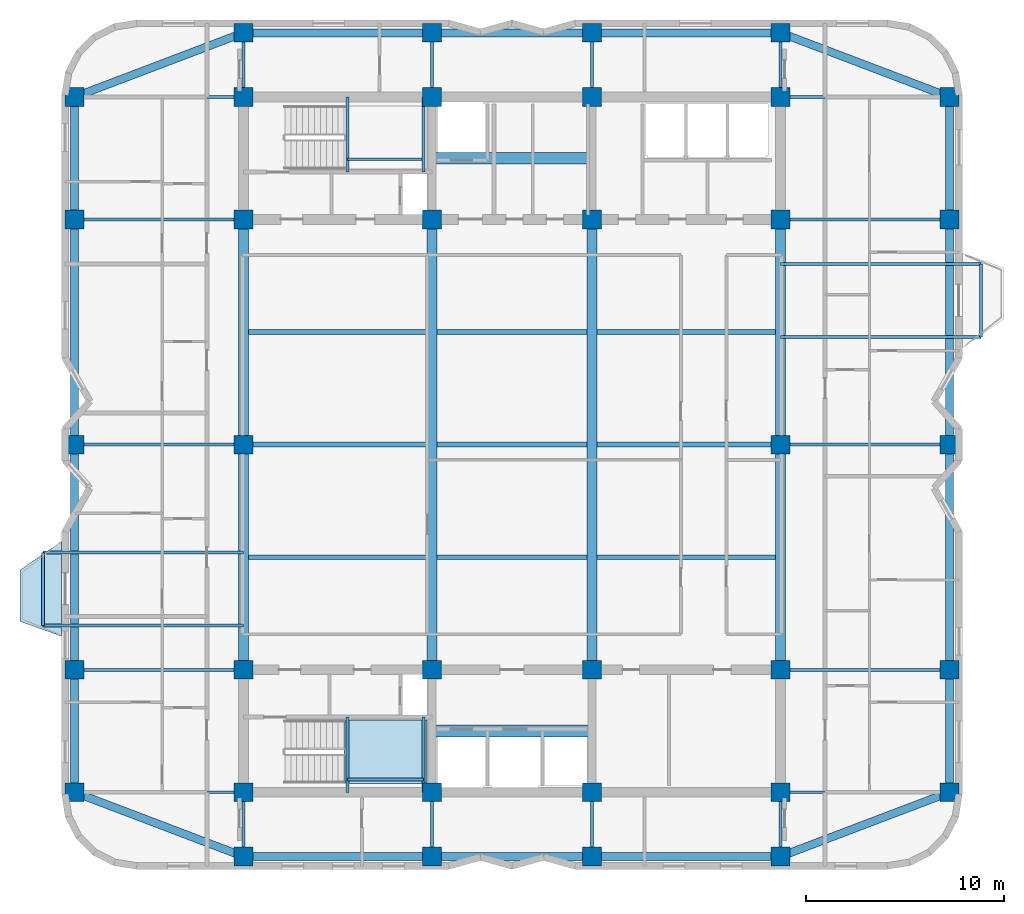
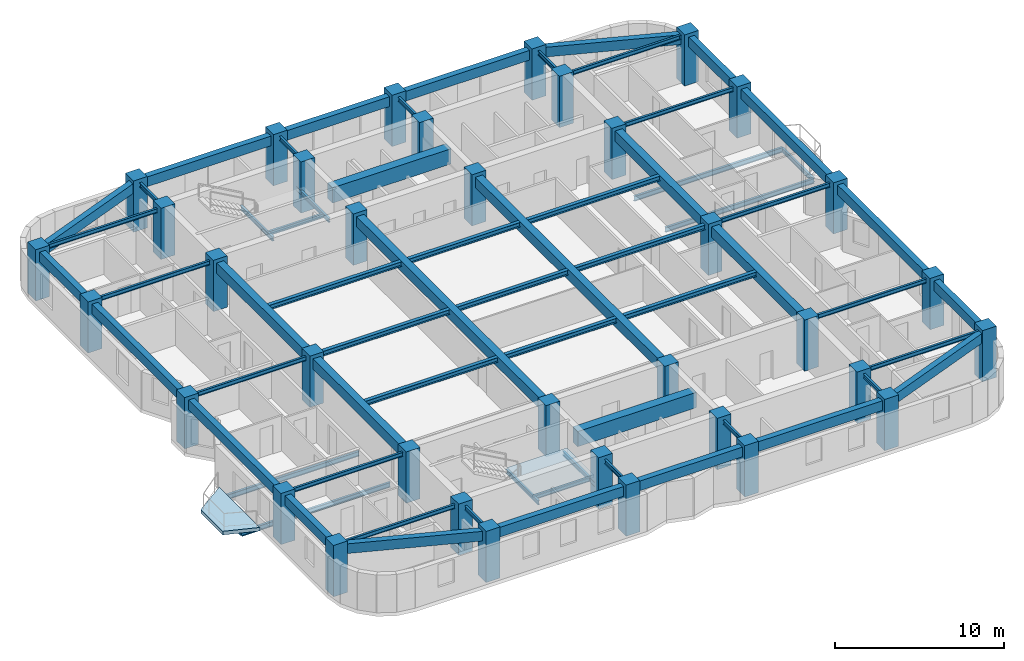
# One storey, part 1 of 9: 65 beams, 36 columns, 2 slabs, 1 element without a shape of its own.
"""IFC4 building model written with IfcOpenShell, lengths in metres."""

from ifc_helpers import new_model, si_unit, direction, frame, origin, origin_2d, place, context, subcontext, project, spatial, polyline, rectangle, i_section, outline, extrude, material, layer, layer_set, material_profile, profile_set, type_object, element, aggregate, save


model = new_model("IFC4")

# Units and contexts
model_context = context("Model", 3, precision=1e-05, world=origin(), true_north=direction((0.0, 1.0)))
body_context = subcontext(model_context, "Body", "Model", "MODEL_VIEW")
ifc_project = project(units=[si_unit("LENGTHUNIT", "METRE"), si_unit("AREAUNIT", "SQUARE_METRE"), si_unit("VOLUMEUNIT", "CUBIC_METRE"), si_unit("PLANEANGLEUNIT", "RADIAN"), si_unit("MASSUNIT", "GRAM", prefix="KILO")], contexts=[model_context])

# Site, building, storey
site_placement = place(None, origin())
site = spatial("IfcSite", under=ifc_project, at=site_placement, CompositionType="ELEMENT")
building_placement = place(site_placement, origin())
building = spatial("IfcBuilding", under=site, at=building_placement, Name="Svetorya Sky Lyceum", CompositionType="ELEMENT")
storey_placement = place(building_placement, frame((0.0, 0.0, 173.699951171875)))
storey = spatial("IfcBuildingStorey", under=building, at=storey_placement, Name="L43", CompositionType="ELEMENT", Elevation=173.699951171875)

# Columns
ifc_material_1 = material(Name="Concrete C50/60", Category="concrete")
ifc_material_profile_1 = material_profile(ifc_material_1, rectangle(XDim=0.949951171875, YDim=0.949951171875, at=origin_2d()), Name="RC COL 950x950")
ifc_profile_set_1 = profile_set([ifc_material_profile_1], Name="Concrete C50/60")
column_type = type_object("IfcColumnType", Name="COL-RC-950", PredefinedType="COLUMN", material=ifc_profile_set_1)
for number, where, z_axis, x_axis, name in (
    (1, (25.60009765625, 10.60009765625, 0.0), (0.0, 0.0, 1.0), (1.0, 0.0, 0.0), "L43 Core Column CS-11"),
    (2, (25.60009765625, 16.800048828125, 0.0), (0.0, 0.0, 1.0), (1.0, 0.0, 0.0), "L43 Core Column CS-12"),
    (3, (35.14990234375, 10.60009765625, 0.0), (0.0, 0.0, 1.0), (1.0, 0.0, 0.0), "L43 Core Column CS-21"),
    (4, (35.14990234375, 16.800048828125, 0.0), (0.0, 0.0, 1.0), (1.0, 0.0, 0.0), "L43 Core Column CS-22"),
    (5, (43.25, 10.60009765625, 0.0), (0.0, 0.0, 1.0), (1.0, 0.0, 0.0), "L43 Core Column CS-31"),
    (6, (43.25, 16.800048828125, 0.0), (0.0, 0.0, 1.0), (1.0, 0.0, 0.0), "L43 Core Column CS-32"),
    (7, (52.800048828125, 10.60009765625, 0.0), (0.0, 0.0, 1.0), (1.0, 0.0, 0.0), "L43 Core Column CS-41"),
    (8, (52.800048828125, 16.800048828125, 0.0), (0.0, 0.0, 1.0), (1.0, 0.0, 0.0), "L43 Core Column CS-42"),
    (9, (25.60009765625, 39.60009765625, 0.0), (0.0, 0.0, 1.0), (1.0, 0.0, 0.0), "L43 Core Column CN-11"),
    (10, (25.60009765625, 45.800048828125, 0.0), (0.0, 0.0, 1.0), (1.0, 0.0, 0.0), "L43 Core Column CN-12"),
    (11, (35.14990234375, 39.60009765625, 0.0), (0.0, 0.0, 1.0), (1.0, 0.0, 0.0), "L43 Core Column CN-21"),
    (12, (35.14990234375, 45.800048828125, 0.0), (0.0, 0.0, 1.0), (1.0, 0.0, 0.0), "L43 Core Column CN-22"),
    (13, (43.25, 39.60009765625, 0.0), (0.0, 0.0, 1.0), (1.0, 0.0, 0.0), "L43 Core Column CN-31"),
    (14, (43.25, 45.800048828125, 0.0), (0.0, 0.0, 1.0), (1.0, 0.0, 0.0), "L43 Core Column CN-32"),
    (15, (52.800048828125, 39.60009765625, 0.0), (0.0, 0.0, 1.0), (1.0, 0.0, 0.0), "L43 Core Column CN-41"),
    (16, (52.800048828125, 45.800048828125, 0.0), (0.0, 0.0, 1.0), (1.0, 0.0, 0.0), "L43 Core Column CN-42"),
    (17, (25.60009765625, 28.199951171875, 0.0), (0.0, 0.0, 1.0), (1.0, 0.0, 0.0), "L43 Core Column CM-W"),
    (18, (52.800048828125, 28.199951171875, 0.0), (0.0, 0.0, 1.0), (1.0, 0.0, 0.0), "L43 Core Column CM-E"),
    (19, (25.60009765625, 7.35009765625, 0.0), (0.0, 0.0, 1.0), (1.0, 0.0, 0.0), "L43 Perimeter Column S1"),
    (20, (25.60009765625, 49.050048828125, 0.0), (0.0, 0.0, 1.0), (1.0, 0.0, 0.0), "L43 Perimeter Column N1"),
    (21, (35.14990234375, 7.35009765625, 0.0), (0.0, 0.0, 1.0), (1.0, 0.0, 0.0), "L43 Perimeter Column S2"),
    (22, (35.14990234375, 49.050048828125, 0.0), (0.0, 0.0, 1.0), (1.0, 0.0, 0.0), "L43 Perimeter Column N2"),
    (23, (43.25, 7.35009765625, 0.0), (0.0, 0.0, 1.0), (1.0, 0.0, 0.0), "L43 Perimeter Column S3"),
    (24, (43.25, 49.050048828125, 0.0), (0.0, 0.0, 1.0), (1.0, 0.0, 0.0), "L43 Perimeter Column N3"),
    (25, (52.800048828125, 7.35009765625, 0.0), (0.0, 0.0, 1.0), (1.0, 0.0, 0.0), "L43 Perimeter Column S4"),
    (26, (52.800048828125, 49.050048828125, 0.0), (0.0, 0.0, 1.0), (1.0, 0.0, 0.0), "L43 Perimeter Column N4"),
    (27, (17.050048828125, 10.60009765625, 0.0), (0.0, 0.0, 1.0), (1.0, 0.0, 0.0), "L43 Perimeter Column W1"),
    (28, (61.35009765625, 10.60009765625, 0.0), (0.0, 0.0, 1.0), (1.0, 0.0, 0.0), "L43 Perimeter Column E1"),
    (29, (17.050048828125, 16.800048828125, 0.0), (0.0, 0.0, 1.0), (1.0, 0.0, 0.0), "L43 Perimeter Column W2"),
    (30, (61.35009765625, 16.800048828125, 0.0), (0.0, 0.0, 1.0), (1.0, 0.0, 0.0), "L43 Perimeter Column E2"),
    (31, (17.050048828125, 28.199951171875, 0.0), (0.0, 0.0, 1.0), (1.0, 0.0, 0.0), "L43 Perimeter Column W3"),
    (32, (61.35009765625, 28.199951171875, 0.0), (0.0, 0.0, 1.0), (1.0, 0.0, 0.0), "L43 Perimeter Column E3"),
    (33, (17.050048828125, 39.60009765625, 0.0), (0.0, 0.0, 1.0), (1.0, 0.0, 0.0), "L43 Perimeter Column W4"),
    (34, (61.35009765625, 39.60009765625, 0.0), (0.0, 0.0, 1.0), (1.0, 0.0, 0.0), "L43 Perimeter Column E4"),
    (35, (17.050048828125, 45.800048828125, 0.0), (0.0, 0.0, 1.0), (1.0, 0.0, 0.0), "L43 Perimeter Column W5"),
    (36, (61.35009765625, 45.800048828125, 0.0), (0.0, 0.0, 1.0), (1.0, 0.0, 0.0), "L43 Perimeter Column E5"),
):
    element("IfcColumn", number, at=place(storey_placement, frame(where, z_axis=z_axis, x_axis=x_axis)), inside=storey, type_object=column_type, Name=name, PredefinedType="COLUMN", context=body_context, shape_type="SweptSolid", body=[
        extrude(rectangle(XDim=0.949951171875, YDim=0.949951171875, at=origin_2d()), origin(), (0.0, 0.0, 1.0), 3.699951171875),
    ])

# Beams
ifc_material_2 = material(Name="Concrete C60/75", Category="concrete")
ifc_material_profile_2 = material_profile(ifc_material_2, rectangle(XDim=0.60009765625, YDim=1.10009765625, at=origin_2d()), Name="RC COUPLING 600x1100")
ifc_profile_set_2 = profile_set([ifc_material_profile_2], Name="Concrete C60/75")
beam_type_1 = type_object("IfcBeamType", Name="BM-CPL-1100", PredefinedType="LINTEL", material=ifc_profile_set_2)
for number, where, z_axis, x_axis, name in (
    (37, (35.14990234375, 13.699951171875, 2.89013671875), (1.0, 0.0, 0.0), (0.0, 1.0, 0.0), "L43 SC Core Coupling Beam"),
    (38, (35.14990234375, 42.699951171875, 2.89013671875), (1.0, 0.0, 0.0), (0.0, 1.0, 0.0), "L43 NC Core Coupling Beam"),
):
    element("IfcBeam", number, at=place(storey_placement, frame(where, z_axis=z_axis, x_axis=x_axis)), inside=storey, type_object=beam_type_1, Name=name, PredefinedType="LINTEL", context=body_context, shape_type="SweptSolid", body=[
        extrude(rectangle(XDim=0.60009765625, YDim=1.10009765625, at=origin_2d()), origin(), (0.0, 0.0, 1.0), 8.10009765625),
    ])
ifc_material_profile_3 = material_profile(ifc_material_1, rectangle(XDim=0.5, YDim=0.75, at=origin_2d()), Name="RC BEAM 500x750")
ifc_profile_set_3 = profile_set([ifc_material_profile_3], Name="Concrete C50/60")
beam_type_2 = type_object("IfcBeamType", Name="BM-RC-750", PredefinedType="BEAM", material=ifc_profile_set_3)
beam_1_placement = place(storey_placement, frame((25.60009765625, 16.800048828125, 3.06494140625), z_axis=(0.0, 1.0, 0.0), x_axis=(-1.0, 0.0, 0.0)))
element("IfcBeam", 39, at=beam_1_placement, inside=storey, type_object=beam_type_2, Name="L43 Central Bay Primary Girder CG-1A", PredefinedType="BEAM", context=body_context, shape_type="SweptSolid", body=[
    extrude(rectangle(XDim=0.5, YDim=0.75, at=origin_2d()), origin(), (0.0, 0.0, 1.0), 11.39990234375),
])
beam_2_placement = place(storey_placement, frame((25.60009765625, 28.199951171875, 3.06494140625), z_axis=(0.0, 1.0, 0.0), x_axis=(-1.0, 0.0, 0.0)))
element("IfcBeam", 40, at=beam_2_placement, inside=storey, type_object=beam_type_2, Name="L43 Central Bay Primary Girder CG-1B", PredefinedType="BEAM", context=body_context, shape_type="SweptSolid", body=[
    extrude(rectangle(XDim=0.5, YDim=0.75, at=origin_2d()), origin(), (0.0, 0.0, 1.0), 11.400146484375),
])
for number, where, z_axis, x_axis, name in (
    (41, (35.14990234375, 16.800048828125, 3.06494140625), (0.0, 1.0, 0.0), (-1.0, 0.0, 0.0), "L43 Central Bay Primary Girder CG-2"),
    (42, (43.25, 16.800048828125, 3.06494140625), (0.0, 1.0, 0.0), (-1.0, 0.0, 0.0), "L43 Central Bay Primary Girder CG-3"),
):
    element("IfcBeam", number, at=place(storey_placement, frame(where, z_axis=z_axis, x_axis=x_axis)), inside=storey, type_object=beam_type_2, Name=name, PredefinedType="BEAM", context=body_context, shape_type="SweptSolid", body=[
        extrude(rectangle(XDim=0.5, YDim=0.75, at=origin_2d()), origin(), (0.0, 0.0, 1.0), 22.800048828125),
    ])
beam_3_placement = place(storey_placement, frame((52.800048828125, 16.800048828125, 3.06494140625), z_axis=(0.0, 1.0, 0.0), x_axis=(-1.0, 0.0, 0.0)))
element("IfcBeam", 43, at=beam_3_placement, inside=storey, type_object=beam_type_2, Name="L43 Central Bay Primary Girder CG-4A", PredefinedType="BEAM", context=body_context, shape_type="SweptSolid", body=[
    extrude(rectangle(XDim=0.5, YDim=0.75, at=origin_2d()), origin(), (0.0, 0.0, 1.0), 11.39990234375),
])
beam_4_placement = place(storey_placement, frame((52.800048828125, 28.199951171875, 3.06494140625), z_axis=(0.0, 1.0, 0.0), x_axis=(-1.0, 0.0, 0.0)))
element("IfcBeam", 44, at=beam_4_placement, inside=storey, type_object=beam_type_2, Name="L43 Central Bay Primary Girder CG-4B", PredefinedType="BEAM", context=body_context, shape_type="SweptSolid", body=[
    extrude(rectangle(XDim=0.5, YDim=0.75, at=origin_2d()), origin(), (0.0, 0.0, 1.0), 11.400146484375),
])
ifc_material_profile_4 = material_profile(ifc_material_1, rectangle(XDim=0.39990234375, YDim=0.699951171875, at=origin_2d()), Name="RC SPANDREL 400x700")
ifc_profile_set_4 = profile_set([ifc_material_profile_4], Name="Concrete C50/60")
beam_type_3 = type_object("IfcBeamType", Name="BM-SPN-700", PredefinedType="SPANDREL", material=ifc_profile_set_4)
beam_5_placement = place(storey_placement, frame((25.60009765625, 7.35009765625, 3.090087890625), z_axis=(1.0, 0.0, 0.0), x_axis=(0.0, 1.0, 0.0)))
element("IfcBeam", 45, at=beam_5_placement, inside=storey, type_object=beam_type_3, Name="L43 South Spandrel 1", PredefinedType="SPANDREL", context=body_context, shape_type="SweptSolid", body=[
    extrude(rectangle(XDim=0.39990234375, YDim=0.699951171875, at=origin_2d()), origin(), (0.0, 0.0, 1.0), 9.5498046875),
])
beam_6_placement = place(storey_placement, frame((35.14990234375, 7.35009765625, 3.090087890625), z_axis=(1.0, 0.0, 0.0), x_axis=(0.0, 1.0, 0.0)))
element("IfcBeam", 46, at=beam_6_placement, inside=storey, type_object=beam_type_3, Name="L43 South Spandrel 2", PredefinedType="SPANDREL", context=body_context, shape_type="SweptSolid", body=[
    extrude(rectangle(XDim=0.39990234375, YDim=0.699951171875, at=origin_2d()), origin(), (0.0, 0.0, 1.0), 8.10009765625),
])
beam_7_placement = place(storey_placement, frame((43.25, 7.35009765625, 3.090087890625), z_axis=(1.0, 0.0, 0.0), x_axis=(0.0, 1.0, 0.0)))
element("IfcBeam", 47, at=beam_7_placement, inside=storey, type_object=beam_type_3, Name="L43 South Spandrel 3", PredefinedType="SPANDREL", context=body_context, shape_type="SweptSolid", body=[
    extrude(rectangle(XDim=0.39990234375, YDim=0.699951171875, at=origin_2d()), origin(), (0.0, 0.0, 1.0), 9.550048828125),
])
beam_8_placement = place(storey_placement, frame((25.60009765625, 49.050048828125, 3.090087890625), z_axis=(1.0, 0.0, 0.0), x_axis=(0.0, 1.0, 0.0)))
element("IfcBeam", 48, at=beam_8_placement, inside=storey, type_object=beam_type_3, Name="L43 North Spandrel 1", PredefinedType="SPANDREL", context=body_context, shape_type="SweptSolid", body=[
    extrude(rectangle(XDim=0.39990234375, YDim=0.699951171875, at=origin_2d()), origin(), (0.0, 0.0, 1.0), 9.5498046875),
])
beam_9_placement = place(storey_placement, frame((35.14990234375, 49.050048828125, 3.090087890625), z_axis=(1.0, 0.0, 0.0), x_axis=(0.0, 1.0, 0.0)))
element("IfcBeam", 49, at=beam_9_placement, inside=storey, type_object=beam_type_3, Name="L43 North Spandrel 2", PredefinedType="SPANDREL", context=body_context, shape_type="SweptSolid", body=[
    extrude(rectangle(XDim=0.39990234375, YDim=0.699951171875, at=origin_2d()), origin(), (0.0, 0.0, 1.0), 8.10009765625),
])
beam_10_placement = place(storey_placement, frame((43.25, 49.050048828125, 3.090087890625), z_axis=(1.0, 0.0, 0.0), x_axis=(0.0, 1.0, 0.0)))
element("IfcBeam", 50, at=beam_10_placement, inside=storey, type_object=beam_type_3, Name="L43 North Spandrel 3", PredefinedType="SPANDREL", context=body_context, shape_type="SweptSolid", body=[
    extrude(rectangle(XDim=0.39990234375, YDim=0.699951171875, at=origin_2d()), origin(), (0.0, 0.0, 1.0), 9.550048828125),
])
for number, where, z_axis, x_axis, name in (
    (51, (25.60009765625, 7.35009765625, 3.090087890625), (-0.934747947367, 0.355311518099, 0.0), (-0.355311518099, -0.934747947367, 0.0), "L43 Corner Spandrel 1"),
    (52, (52.800048828125, 7.35009765625, 3.090087890625), (0.934747947367, 0.355311518099, 0.0), (-0.355311518099, 0.934747947367, 0.0), "L43 Corner Spandrel 2"),
    (53, (61.35009765625, 45.800048828125, 3.090087890625), (-0.934747947367, 0.355311518099, 0.0), (-0.355311518099, -0.934747947367, 0.0), "L43 Corner Spandrel 3"),
    (54, (17.050048828125, 45.800048828125, 3.090087890625), (0.934747947367, 0.355311518099, 0.0), (-0.355311518099, 0.934747947367, 0.0), "L43 Corner Spandrel 4"),
):
    element("IfcBeam", number, at=place(storey_placement, frame(where, z_axis=z_axis, x_axis=x_axis)), inside=storey, type_object=beam_type_3, Name=name, PredefinedType="SPANDREL", context=body_context, shape_type="SweptSolid", body=[
        extrude(rectangle(XDim=0.39990234375, YDim=0.699951171875, at=origin_2d()), origin(), (0.0, 0.0, 1.0), 9.14697265625),
    ])
beam_11_placement = place(storey_placement, frame((17.050048828125, 10.60009765625, 3.090087890625), z_axis=(0.0, 1.0, 0.0), x_axis=(-1.0, 0.0, 0.0)))
element("IfcBeam", 55, at=beam_11_placement, inside=storey, type_object=beam_type_3, Name="L43 West Spandrel 1", PredefinedType="SPANDREL", context=body_context, shape_type="SweptSolid", body=[
    extrude(rectangle(XDim=0.39990234375, YDim=0.699951171875, at=origin_2d()), origin(), (0.0, 0.0, 1.0), 6.199951171875),
])
beam_12_placement = place(storey_placement, frame((17.050048828125, 16.800048828125, 3.090087890625), z_axis=(0.0, 1.0, 0.0), x_axis=(-1.0, 0.0, 0.0)))
element("IfcBeam", 56, at=beam_12_placement, inside=storey, type_object=beam_type_3, Name="L43 West Spandrel 2", PredefinedType="SPANDREL", context=body_context, shape_type="SweptSolid", body=[
    extrude(rectangle(XDim=0.39990234375, YDim=0.699951171875, at=origin_2d()), origin(), (0.0, 0.0, 1.0), 11.39990234375),
])
beam_13_placement = place(storey_placement, frame((17.050048828125, 28.199951171875, 3.090087890625), z_axis=(0.0, 1.0, 0.0), x_axis=(-1.0, 0.0, 0.0)))
element("IfcBeam", 57, at=beam_13_placement, inside=storey, type_object=beam_type_3, Name="L43 West Spandrel 3", PredefinedType="SPANDREL", context=body_context, shape_type="SweptSolid", body=[
    extrude(rectangle(XDim=0.39990234375, YDim=0.699951171875, at=origin_2d()), origin(), (0.0, 0.0, 1.0), 11.400146484375),
])
for number, where, z_axis, x_axis, name in (
    (58, (17.050048828125, 39.60009765625, 3.090087890625), (0.0, 1.0, 0.0), (-1.0, 0.0, 0.0), "L43 West Spandrel 4"),
    (59, (61.35009765625, 10.60009765625, 3.090087890625), (0.0, 1.0, 0.0), (-1.0, 0.0, 0.0), "L43 East Spandrel 1"),
):
    element("IfcBeam", number, at=place(storey_placement, frame(where, z_axis=z_axis, x_axis=x_axis)), inside=storey, type_object=beam_type_3, Name=name, PredefinedType="SPANDREL", context=body_context, shape_type="SweptSolid", body=[
        extrude(rectangle(XDim=0.39990234375, YDim=0.699951171875, at=origin_2d()), origin(), (0.0, 0.0, 1.0), 6.199951171875),
    ])
beam_14_placement = place(storey_placement, frame((61.35009765625, 16.800048828125, 3.090087890625), z_axis=(0.0, 1.0, 0.0), x_axis=(-1.0, 0.0, 0.0)))
element("IfcBeam", 60, at=beam_14_placement, inside=storey, type_object=beam_type_3, Name="L43 East Spandrel 2", PredefinedType="SPANDREL", context=body_context, shape_type="SweptSolid", body=[
    extrude(rectangle(XDim=0.39990234375, YDim=0.699951171875, at=origin_2d()), origin(), (0.0, 0.0, 1.0), 11.39990234375),
])
beam_15_placement = place(storey_placement, frame((61.35009765625, 28.199951171875, 3.090087890625), z_axis=(0.0, 1.0, 0.0), x_axis=(-1.0, 0.0, 0.0)))
element("IfcBeam", 61, at=beam_15_placement, inside=storey, type_object=beam_type_3, Name="L43 East Spandrel 3", PredefinedType="SPANDREL", context=body_context, shape_type="SweptSolid", body=[
    extrude(rectangle(XDim=0.39990234375, YDim=0.699951171875, at=origin_2d()), origin(), (0.0, 0.0, 1.0), 11.400146484375),
])
beam_16_placement = place(storey_placement, frame((61.35009765625, 39.60009765625, 3.090087890625), z_axis=(0.0, 1.0, 0.0), x_axis=(-1.0, 0.0, 0.0)))
element("IfcBeam", 62, at=beam_16_placement, inside=storey, type_object=beam_type_3, Name="L43 East Spandrel 4", PredefinedType="SPANDREL", context=body_context, shape_type="SweptSolid", body=[
    extrude(rectangle(XDim=0.39990234375, YDim=0.699951171875, at=origin_2d()), origin(), (0.0, 0.0, 1.0), 6.199951171875),
])
ifc_material_3 = material(Name="Steel S355", Category="steel")
ifc_material_profile_5 = material_profile(ifc_material_3, i_section(OverallWidth=0.14990234375, OverallDepth=0.299072265625, WebThickness=0.006591796875, FlangeThickness=0.010498046875, at=origin_2d()), Name="GOST 30B2")
ifc_profile_set_5 = profile_set([ifc_material_profile_5], Name="Steel S355")
beam_type_4 = type_object("IfcBeamType", Name="BM-STL-30B2", PredefinedType="JOIST", material=ifc_profile_set_5)
beam_17_placement = place(storey_placement, frame((15.449951171875, 19.050048828125, -0.4345703125), z_axis=(0.0, 1.0, 0.0), x_axis=(-1.0, 0.0, 0.0)))
element("IfcBeam", 63, at=beam_17_placement, inside=storey, type_object=beam_type_4, Name="L43 Balcony Edge Tie BAL-W1", PredefinedType="JOIST", context=body_context, shape_type="SweptSolid", body=[
    extrude(i_section(OverallWidth=0.14990234375, OverallDepth=0.299072265625, WebThickness=0.006591796875, FlangeThickness=0.010498046875, at=origin_2d()), origin(), (0.0, 0.0, 1.0), 3.699951171875),
])
beam_18_placement = place(storey_placement, frame((62.949951171875, 33.64990234375, -0.4345703125), z_axis=(0.0, 1.0, 0.0), x_axis=(-1.0, 0.0, 0.0)))
element("IfcBeam", 64, at=beam_18_placement, inside=storey, type_object=beam_type_4, Name="L43 Balcony Edge Tie BAL-E1", PredefinedType="JOIST", context=body_context, shape_type="SweptSolid", body=[
    extrude(i_section(OverallWidth=0.14990234375, OverallDepth=0.299072265625, WebThickness=0.006591796875, FlangeThickness=0.010498046875, at=origin_2d()), origin(), (0.0, 0.0, 1.0), 3.7001953125),
])
for number, where, z_axis, x_axis, name in (
    (65, (17.050048828125, 10.60009765625, 3.29052734375), (1.0, 0.0, 0.0), (0.0, 1.0, 0.0), "L43 West Wing Floor Joist W1"),
    (66, (52.800048828125, 10.60009765625, 3.29052734375), (1.0, 0.0, 0.0), (0.0, 1.0, 0.0), "L43 East Wing Floor Joist E1"),
    (67, (17.050048828125, 16.800048828125, 3.29052734375), (1.0, 0.0, 0.0), (0.0, 1.0, 0.0), "L43 West Wing Floor Joist W2"),
    (68, (52.800048828125, 16.800048828125, 3.29052734375), (1.0, 0.0, 0.0), (0.0, 1.0, 0.0), "L43 East Wing Floor Joist E2"),
    (69, (17.050048828125, 28.199951171875, 3.29052734375), (1.0, 0.0, 0.0), (0.0, 1.0, 0.0), "L43 West Wing Floor Joist W3"),
    (70, (52.800048828125, 28.199951171875, 3.29052734375), (1.0, 0.0, 0.0), (0.0, 1.0, 0.0), "L43 East Wing Floor Joist E3"),
    (71, (17.050048828125, 39.60009765625, 3.29052734375), (1.0, 0.0, 0.0), (0.0, 1.0, 0.0), "L43 West Wing Floor Joist W4"),
    (72, (52.800048828125, 39.60009765625, 3.29052734375), (1.0, 0.0, 0.0), (0.0, 1.0, 0.0), "L43 East Wing Floor Joist E4"),
    (73, (17.050048828125, 45.800048828125, 3.29052734375), (1.0, 0.0, 0.0), (0.0, 1.0, 0.0), "L43 West Wing Floor Joist W5"),
    (74, (52.800048828125, 45.800048828125, 3.29052734375), (1.0, 0.0, 0.0), (0.0, 1.0, 0.0), "L43 East Wing Floor Joist E5"),
):
    element("IfcBeam", number, at=place(storey_placement, frame(where, z_axis=z_axis, x_axis=x_axis)), inside=storey, type_object=beam_type_4, Name=name, PredefinedType="JOIST", context=body_context, shape_type="SweptSolid", body=[
        extrude(i_section(OverallWidth=0.14990234375, OverallDepth=0.299072265625, WebThickness=0.006591796875, FlangeThickness=0.010498046875, at=origin_2d()), origin(), (0.0, 0.0, 1.0), 8.550048828125),
    ])
for number, where, z_axis, x_axis, name in (
    (75, (25.60009765625, 7.35009765625, 3.29052734375), (0.0, 1.0, 0.0), (-1.0, 0.0, 0.0), "L43 South Bay Floor Girder S1"),
    (76, (25.60009765625, 45.800048828125, 3.29052734375), (0.0, 1.0, 0.0), (-1.0, 0.0, 0.0), "L43 North Bay Floor Girder N1"),
    (77, (35.14990234375, 7.35009765625, 3.29052734375), (0.0, 1.0, 0.0), (-1.0, 0.0, 0.0), "L43 South Bay Floor Girder S2"),
    (78, (35.14990234375, 45.800048828125, 3.29052734375), (0.0, 1.0, 0.0), (-1.0, 0.0, 0.0), "L43 North Bay Floor Girder N2"),
    (79, (43.25, 7.35009765625, 3.29052734375), (0.0, 1.0, 0.0), (-1.0, 0.0, 0.0), "L43 South Bay Floor Girder S3"),
    (80, (43.25, 45.800048828125, 3.29052734375), (0.0, 1.0, 0.0), (-1.0, 0.0, 0.0), "L43 North Bay Floor Girder N3"),
    (81, (52.800048828125, 7.35009765625, 3.29052734375), (0.0, 1.0, 0.0), (-1.0, 0.0, 0.0), "L43 South Bay Floor Girder S4"),
    (82, (52.800048828125, 45.800048828125, 3.29052734375), (0.0, 1.0, 0.0), (-1.0, 0.0, 0.0), "L43 North Bay Floor Girder N4"),
):
    element("IfcBeam", number, at=place(storey_placement, frame(where, z_axis=z_axis, x_axis=x_axis)), inside=storey, type_object=beam_type_4, Name=name, PredefinedType="JOIST", context=body_context, shape_type="SweptSolid", body=[
        extrude(i_section(OverallWidth=0.14990234375, OverallDepth=0.299072265625, WebThickness=0.006591796875, FlangeThickness=0.010498046875, at=origin_2d()), origin(), (0.0, 0.0, 1.0), 3.25),
    ])
for number, where, z_axis, x_axis, name in (
    (83, (30.8798828125, 10.60009765625, 1.50048828125), (0.0, 1.0, 0.0), (-1.0, 0.0, 0.0), "L43 Stair ST-S Half-Landing Support Beam 49.1"),
    (84, (34.719970703125, 10.60009765625, 1.50048828125), (0.0, 1.0, 0.0), (-1.0, 0.0, 0.0), "L43 Stair ST-S Half-Landing Support Beam 49.2"),
):
    element("IfcBeam", number, at=place(storey_placement, frame(where, z_axis=z_axis, x_axis=x_axis)), inside=storey, type_object=beam_type_4, Name=name, PredefinedType="JOIST", context=body_context, shape_type="SweptSolid", body=[
        extrude(i_section(OverallWidth=0.14990234375, OverallDepth=0.299072265625, WebThickness=0.006591796875, FlangeThickness=0.010498046875, at=origin_2d()), origin(), (0.0, 0.0, 1.0), 3.7998046875),
    ])
beam_19_placement = place(storey_placement, frame((30.8798828125, 11.25, 1.50048828125), z_axis=(1.0, 0.0, 0.0), x_axis=(0.0, 1.0, 0.0)))
element("IfcBeam", 85, at=beam_19_placement, inside=storey, type_object=beam_type_4, Name="L43 Stair ST-S Half-Landing Cross Tie 49", PredefinedType="JOIST", context=body_context, shape_type="SweptSolid", body=[
    extrude(i_section(OverallWidth=0.14990234375, OverallDepth=0.299072265625, WebThickness=0.006591796875, FlangeThickness=0.010498046875, at=origin_2d()), origin(), (0.0, 0.0, 1.0), 3.840087890625),
])
for number, where, z_axis, x_axis, name in (
    (86, (30.8798828125, 42.0, 1.50048828125), (0.0, 1.0, 0.0), (-1.0, 0.0, 0.0), "L43 Stair ST-N Half-Landing Support Beam 49.1"),
    (87, (34.719970703125, 42.0, 1.50048828125), (0.0, 1.0, 0.0), (-1.0, 0.0, 0.0), "L43 Stair ST-N Half-Landing Support Beam 49.2"),
):
    element("IfcBeam", number, at=place(storey_placement, frame(where, z_axis=z_axis, x_axis=x_axis)), inside=storey, type_object=beam_type_4, Name=name, PredefinedType="JOIST", context=body_context, shape_type="SweptSolid", body=[
        extrude(i_section(OverallWidth=0.14990234375, OverallDepth=0.299072265625, WebThickness=0.006591796875, FlangeThickness=0.010498046875, at=origin_2d()), origin(), (0.0, 0.0, 1.0), 3.800048828125),
    ])
beam_20_placement = place(storey_placement, frame((30.8798828125, 42.64990234375, 1.50048828125), z_axis=(1.0, 0.0, 0.0), x_axis=(0.0, 1.0, 0.0)))
element("IfcBeam", 88, at=beam_20_placement, inside=storey, type_object=beam_type_4, Name="L43 Stair ST-N Half-Landing Cross Tie 49", PredefinedType="JOIST", context=body_context, shape_type="SweptSolid", body=[
    extrude(i_section(OverallWidth=0.14990234375, OverallDepth=0.299072265625, WebThickness=0.006591796875, FlangeThickness=0.010498046875, at=origin_2d()), origin(), (0.0, 0.0, 1.0), 3.840087890625),
])
ifc_material_profile_6 = material_profile(ifc_material_3, i_section(OverallWidth=0.155029296875, OverallDepth=0.34912109375, WebThickness=0.007080078125, FlangeThickness=0.011474609375, at=origin_2d()), Name="GOST 35B2")
ifc_profile_set_6 = profile_set([ifc_material_profile_6], Name="Steel S355")
beam_type_5 = type_object("IfcBeamType", Name="BM-STL-35B2", PredefinedType="JOIST", material=ifc_profile_set_6)
for number, where, z_axis, x_axis, name in (
    (89, (25.60009765625, 19.050048828125, -0.4345703125), (-1.0, 0.0, 0.0), (0.0, -1.0, 0.0), "L43 Balcony Cantilever Beam BAL-W1-1"),
    (90, (25.60009765625, 22.75, -0.4345703125), (-1.0, 0.0, 0.0), (0.0, -1.0, 0.0), "L43 Balcony Cantilever Beam BAL-W1-2"),
):
    element("IfcBeam", number, at=place(storey_placement, frame(where, z_axis=z_axis, x_axis=x_axis)), inside=storey, type_object=beam_type_5, Name=name, PredefinedType="JOIST", context=body_context, shape_type="SweptSolid", body=[
        extrude(i_section(OverallWidth=0.155029296875, OverallDepth=0.34912109375, WebThickness=0.007080078125, FlangeThickness=0.011474609375, at=origin_2d()), origin(), (0.0, 0.0, 1.0), 10.150146484375),
    ])
for number, where, z_axis, x_axis, name in (
    (91, (52.800048828125, 33.64990234375, -0.4345703125), (1.0, 0.0, 0.0), (0.0, 1.0, 0.0), "L43 Balcony Cantilever Beam BAL-E1-1"),
    (92, (52.800048828125, 37.35009765625, -0.4345703125), (1.0, 0.0, 0.0), (0.0, 1.0, 0.0), "L43 Balcony Cantilever Beam BAL-E1-2"),
):
    element("IfcBeam", number, at=place(storey_placement, frame(where, z_axis=z_axis, x_axis=x_axis)), inside=storey, type_object=beam_type_5, Name=name, PredefinedType="JOIST", context=body_context, shape_type="SweptSolid", body=[
        extrude(i_section(OverallWidth=0.155029296875, OverallDepth=0.34912109375, WebThickness=0.007080078125, FlangeThickness=0.011474609375, at=origin_2d()), origin(), (0.0, 0.0, 1.0), 10.14990234375),
    ])
ifc_material_profile_7 = material_profile(ifc_material_3, i_section(OverallWidth=0.25, OverallDepth=0.345947265625, WebThickness=0.009521484375, FlangeThickness=0.014404296875, at=origin_2d()), Name="GOST 35Sh2")
ifc_profile_set_7 = profile_set([ifc_material_profile_7], Name="Steel S355")
beam_type_6 = type_object("IfcBeamType", Name="BM-STL-35SH2", PredefinedType="BEAM", material=ifc_profile_set_7)
beam_21_placement = place(storey_placement, frame((25.85009765625, 22.5, 3.26708984375), z_axis=(1.0, 0.0, 0.0), x_axis=(0.0, 1.0, 0.0)))
element("IfcBeam", 93, at=beam_21_placement, inside=storey, type_object=beam_type_6, Name="L43 Central Floor Joist CJ-1.1", PredefinedType="BEAM", context=body_context, shape_type="SweptSolid", body=[
    extrude(i_section(OverallWidth=0.25, OverallDepth=0.345947265625, WebThickness=0.009521484375, FlangeThickness=0.014404296875, at=origin_2d()), origin(), (0.0, 0.0, 1.0), 9.0498046875),
])
beam_22_placement = place(storey_placement, frame((35.39990234375, 22.5, 3.26708984375), z_axis=(1.0, 0.0, 0.0), x_axis=(0.0, 1.0, 0.0)))
element("IfcBeam", 94, at=beam_22_placement, inside=storey, type_object=beam_type_6, Name="L43 Central Floor Joist CJ-1.2", PredefinedType="BEAM", context=body_context, shape_type="SweptSolid", body=[
    extrude(i_section(OverallWidth=0.25, OverallDepth=0.345947265625, WebThickness=0.009521484375, FlangeThickness=0.014404296875, at=origin_2d()), origin(), (0.0, 0.0, 1.0), 7.60009765625),
])
beam_23_placement = place(storey_placement, frame((43.5, 22.5, 3.26708984375), z_axis=(1.0, 0.0, 0.0), x_axis=(0.0, 1.0, 0.0)))
element("IfcBeam", 95, at=beam_23_placement, inside=storey, type_object=beam_type_6, Name="L43 Central Floor Joist CJ-1.3", PredefinedType="BEAM", context=body_context, shape_type="SweptSolid", body=[
    extrude(i_section(OverallWidth=0.25, OverallDepth=0.345947265625, WebThickness=0.009521484375, FlangeThickness=0.014404296875, at=origin_2d()), origin(), (0.0, 0.0, 1.0), 9.050048828125),
])
beam_24_placement = place(storey_placement, frame((25.85009765625, 28.199951171875, 3.26708984375), z_axis=(1.0, 0.0, 0.0), x_axis=(0.0, 1.0, 0.0)))
element("IfcBeam", 96, at=beam_24_placement, inside=storey, type_object=beam_type_6, Name="L43 Central Floor Joist CJ-2.1", PredefinedType="BEAM", context=body_context, shape_type="SweptSolid", body=[
    extrude(i_section(OverallWidth=0.25, OverallDepth=0.345947265625, WebThickness=0.009521484375, FlangeThickness=0.014404296875, at=origin_2d()), origin(), (0.0, 0.0, 1.0), 9.0498046875),
])
beam_25_placement = place(storey_placement, frame((35.39990234375, 28.199951171875, 3.26708984375), z_axis=(1.0, 0.0, 0.0), x_axis=(0.0, 1.0, 0.0)))
element("IfcBeam", 97, at=beam_25_placement, inside=storey, type_object=beam_type_6, Name="L43 Central Floor Joist CJ-2.2", PredefinedType="BEAM", context=body_context, shape_type="SweptSolid", body=[
    extrude(i_section(OverallWidth=0.25, OverallDepth=0.345947265625, WebThickness=0.009521484375, FlangeThickness=0.014404296875, at=origin_2d()), origin(), (0.0, 0.0, 1.0), 7.60009765625),
])
beam_26_placement = place(storey_placement, frame((43.5, 28.199951171875, 3.26708984375), z_axis=(1.0, 0.0, 0.0), x_axis=(0.0, 1.0, 0.0)))
element("IfcBeam", 98, at=beam_26_placement, inside=storey, type_object=beam_type_6, Name="L43 Central Floor Joist CJ-2.3", PredefinedType="BEAM", context=body_context, shape_type="SweptSolid", body=[
    extrude(i_section(OverallWidth=0.25, OverallDepth=0.345947265625, WebThickness=0.009521484375, FlangeThickness=0.014404296875, at=origin_2d()), origin(), (0.0, 0.0, 1.0), 9.050048828125),
])
beam_27_placement = place(storey_placement, frame((25.85009765625, 33.89990234375, 3.26708984375), z_axis=(1.0, 0.0, 0.0), x_axis=(0.0, 1.0, 0.0)))
element("IfcBeam", 99, at=beam_27_placement, inside=storey, type_object=beam_type_6, Name="L43 Central Floor Joist CJ-3.1", PredefinedType="BEAM", context=body_context, shape_type="SweptSolid", body=[
    extrude(i_section(OverallWidth=0.25, OverallDepth=0.345947265625, WebThickness=0.009521484375, FlangeThickness=0.014404296875, at=origin_2d()), origin(), (0.0, 0.0, 1.0), 9.0498046875),
])
beam_28_placement = place(storey_placement, frame((35.39990234375, 33.89990234375, 3.26708984375), z_axis=(1.0, 0.0, 0.0), x_axis=(0.0, 1.0, 0.0)))
element("IfcBeam", 100, at=beam_28_placement, inside=storey, type_object=beam_type_6, Name="L43 Central Floor Joist CJ-3.2", PredefinedType="BEAM", context=body_context, shape_type="SweptSolid", body=[
    extrude(i_section(OverallWidth=0.25, OverallDepth=0.345947265625, WebThickness=0.009521484375, FlangeThickness=0.014404296875, at=origin_2d()), origin(), (0.0, 0.0, 1.0), 7.60009765625),
])
beam_29_placement = place(storey_placement, frame((43.5, 33.89990234375, 3.26708984375), z_axis=(1.0, 0.0, 0.0), x_axis=(0.0, 1.0, 0.0)))
element("IfcBeam", 101, at=beam_29_placement, inside=storey, type_object=beam_type_6, Name="L43 Central Floor Joist CJ-3.3", PredefinedType="BEAM", context=body_context, shape_type="SweptSolid", body=[
    extrude(i_section(OverallWidth=0.25, OverallDepth=0.345947265625, WebThickness=0.009521484375, FlangeThickness=0.014404296875, at=origin_2d()), origin(), (0.0, 0.0, 1.0), 9.050048828125),
])

# Slab
ifc_material_4 = material(Name="Concrete C40/50", Category="concrete")
ifc_layer_1 = layer(ifc_material_4, 0.260009765625)
ifc_layer_set_1 = layer_set([ifc_layer_1], Name="Concrete C40/50")
slab_type_1 = type_object("IfcSlabType", Name="SL-BAL-260", PredefinedType="FLOOR", material=ifc_layer_set_1)
slab_1_placement = place(storey_placement, frame((0.0, 0.0, -0.260009765625)))
element("IfcSlab", 102, at=slab_1_placement, inside=storey, type_object=slab_type_1, Name="L43 Chamfered Loggia Balcony BAL-W1", PredefinedType="FLOOR", context=body_context, shape_type="SweptSolid", body=[
    extrude(outline(polyline([(16.389892578125, 18.5), (16.389892578125, 23.300048828125), (14.2900390625, 21.85009765625), (14.2900390625, 19.25), (16.389892578125, 18.5)])), origin(), (0.0, 0.0, 1.0), 0.260009765625),
])

# Stair, slab
stair_type = type_object("IfcStairType", Name="STR-ST-S", PredefinedType="HALF_TURN_STAIR", material=ifc_material_4)
stair_placement = place(storey_placement, origin())
stair = element("IfcStair", 103, at=stair_placement, inside=storey, type_object=stair_type, Name="L43 South Core Smoke-Free Exit Stair N2", PredefinedType="HALF_TURN_STAIR")
ifc_layer_2 = layer(ifc_material_4, 0.199951171875)
ifc_layer_set_2 = layer_set([ifc_layer_2], Name="Concrete C40/50")
slab_type_2 = type_object("IfcSlabType", Name="SL-STR-LAND-200", PredefinedType="LANDING", material=ifc_layer_set_2)
slab_2_placement = place(storey_placement, frame((0.0, 0.0, 1.650146484375)))
slab_2 = element("IfcSlab", 104, at=slab_2_placement, type_object=slab_type_2, Name="ST-S landing 1", PredefinedType="LANDING", context=body_context, shape_type="SweptSolid", body=[
    extrude(outline(polyline([(30.699951171875, 11.050048828125), (34.89990234375, 11.050048828125), (34.89990234375, 14.25), (30.699951171875, 14.25), (30.699951171875, 11.050048828125)])), origin(), (0.0, 0.0, 1.0), 0.199951171875),
])
aggregate(stair, [slab_2])

save(model, "model.ifc")
